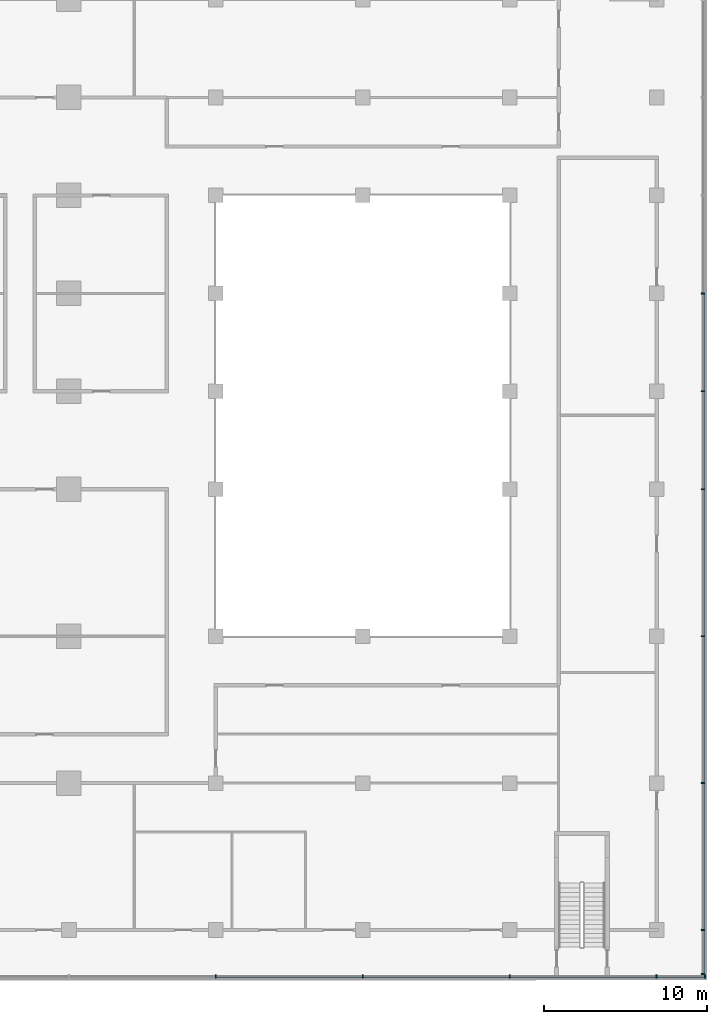
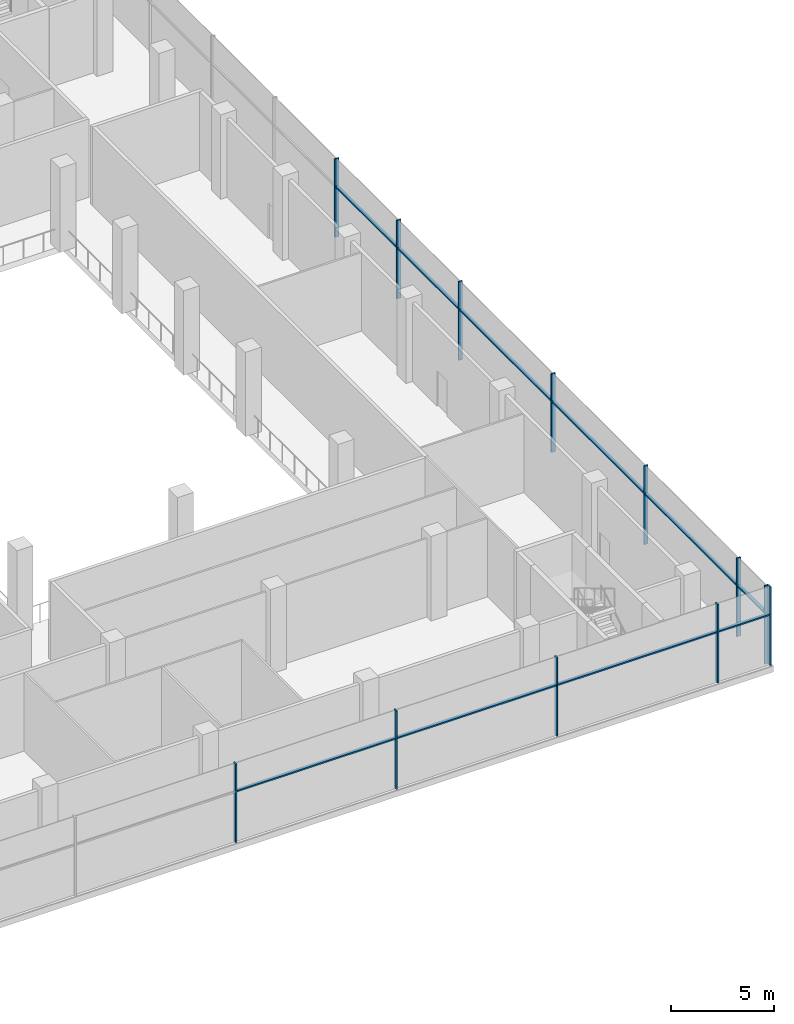
# One storey, part 5 of 22: 22 members, 2 elements without a shape of their own.
"""IFC4 building model written with IfcOpenShell, lengths in metres."""

from ifc_helpers import new_model, si_unit, direction, frame, origin, origin_2d, place, context, subcontext, project, spatial, rectangle, extrude, material, material_profile, profile_set, type_object, element, aggregate, save


model = new_model("IFC4")

# Units and contexts
model_context = context("Model", 3, precision=1e-05, world=origin(), true_north=direction((0.0, 1.0)))
body_context = subcontext(model_context, "Body", "Model", "MODEL_VIEW")
ifc_project = project(units=[si_unit("LENGTHUNIT", "METRE"), si_unit("AREAUNIT", "SQUARE_METRE"), si_unit("VOLUMEUNIT", "CUBIC_METRE"), si_unit("PLANEANGLEUNIT", "RADIAN"), si_unit("MASSUNIT", "GRAM", prefix="KILO")], contexts=[model_context])

# Site, building, storey
site_placement = place(None, origin())
site = spatial("IfcSite", under=ifc_project, at=site_placement, CompositionType="ELEMENT")
building_placement = place(site_placement, origin())
building = spatial("IfcBuilding", under=site, at=building_placement, Name="Finial Court Residences", CompositionType="ELEMENT")
storey_placement = place(building_placement, frame((0.0, 0.0, 13.5)))
storey = spatial("IfcBuildingStorey", under=building, at=storey_placement, Name="L02", CompositionType="ELEMENT", Elevation=13.5)

# Curtain wall, members
ifc_material = material(Name="Bronze anodised aluminium", Category="aluminium")
curtain_wall_type = type_object("IfcCurtainWallType", Name="Podium curtain wall", PredefinedType="NOTDEFINED", material=ifc_material)
curtain_wall_1_placement = place(storey_placement, origin())
curtain_wall_1 = element("IfcCurtainWall", 1, at=curtain_wall_1_placement, inside=storey, type_object=curtain_wall_type, Name="E-L02-CW-E2", PredefinedType="NOTDEFINED")
ifc_material_profile_1 = material_profile(ifc_material, rectangle(XDim=0.22509765625, YDim=0.080078125, at=origin_2d()), Name="CW5 mullion 80 x 225")
ifc_profile_set_1 = profile_set([ifc_material_profile_1], Name="Bronze anodised aluminium")
member_type_1 = type_object("IfcMemberType", Name="CW5 mullion 80 x 225", PredefinedType="MULLION", material=ifc_profile_set_1)
member_1_placement = place(storey_placement, frame((61.35009765625, -34.197509765625, 0.0), z_axis=(0.0, 0.0, 1.0), x_axis=(-1.0, 0.0, 0.0)))
member_1 = element("IfcMember", 2, at=member_1_placement, type_object=member_type_1, Name="CW5 mullion 1", PredefinedType="MULLION", context=body_context, shape_type="SweptSolid", body=[
    extrude(rectangle(XDim=0.22509765625, YDim=0.080078125, at=origin_2d()), origin(), (0.0, 0.0, 1.0), 4.64990234375),
])
member_2_placement = place(storey_placement, frame((61.35009765625, -31.5, 0.0), z_axis=(0.0, 0.0, 1.0), x_axis=(-1.0, 0.0, 0.0)))
member_2 = element("IfcMember", 3, at=member_2_placement, type_object=member_type_1, Name="CW5 mullion 2", PredefinedType="MULLION", context=body_context, shape_type="SweptSolid", body=[
    extrude(rectangle(XDim=0.22509765625, YDim=0.080078125, at=origin_2d()), origin(), (0.0, 0.0, 1.0), 4.64990234375),
])
member_3_placement = place(storey_placement, frame((61.35009765625, -22.5, 0.0), z_axis=(0.0, 0.0, 1.0), x_axis=(-1.0, 0.0, 0.0)))
member_3 = element("IfcMember", 4, at=member_3_placement, type_object=member_type_1, Name="CW5 mullion 3", PredefinedType="MULLION", context=body_context, shape_type="SweptSolid", body=[
    extrude(rectangle(XDim=0.22509765625, YDim=0.080078125, at=origin_2d()), origin(), (0.0, 0.0, 1.0), 4.64990234375),
])
member_4_placement = place(storey_placement, frame((61.35009765625, -13.5, 0.0), z_axis=(0.0, 0.0, 1.0), x_axis=(-1.0, 0.0, 0.0)))
member_4 = element("IfcMember", 5, at=member_4_placement, type_object=member_type_1, Name="CW5 mullion 4", PredefinedType="MULLION", context=body_context, shape_type="SweptSolid", body=[
    extrude(rectangle(XDim=0.22509765625, YDim=0.080078125, at=origin_2d()), origin(), (0.0, 0.0, 1.0), 4.64990234375),
])
member_5_placement = place(storey_placement, frame((61.35009765625, -4.5, 0.0), z_axis=(0.0, 0.0, 1.0), x_axis=(-1.0, 0.0, 0.0)))
member_5 = element("IfcMember", 6, at=member_5_placement, type_object=member_type_1, Name="CW5 mullion 5", PredefinedType="MULLION", context=body_context, shape_type="SweptSolid", body=[
    extrude(rectangle(XDim=0.22509765625, YDim=0.080078125, at=origin_2d()), origin(), (0.0, 0.0, 1.0), 4.64990234375),
])
member_6_placement = place(storey_placement, frame((61.35009765625, 1.5, 0.0), z_axis=(0.0, 0.0, 1.0), x_axis=(-1.0, 0.0, 0.0)))
member_6 = element("IfcMember", 7, at=member_6_placement, type_object=member_type_1, Name="CW5 mullion 6", PredefinedType="MULLION", context=body_context, shape_type="SweptSolid", body=[
    extrude(rectangle(XDim=0.22509765625, YDim=0.080078125, at=origin_2d()), origin(), (0.0, 0.0, 1.0), 4.64990234375),
])
member_7_placement = place(storey_placement, frame((61.35009765625, 7.5, 0.0), z_axis=(0.0, 0.0, 1.0), x_axis=(-1.0, 0.0, 0.0)))
member_7 = element("IfcMember", 8, at=member_7_placement, type_object=member_type_1, Name="CW5 mullion 7", PredefinedType="MULLION", context=body_context, shape_type="SweptSolid", body=[
    extrude(rectangle(XDim=0.22509765625, YDim=0.080078125, at=origin_2d()), origin(), (0.0, 0.0, 1.0), 4.64990234375),
])

curtain_wall_2_placement = place(storey_placement, origin())
curtain_wall_2 = element("IfcCurtainWall", 9, at=curtain_wall_2_placement, inside=storey, type_object=curtain_wall_type, Name="E-L02-CW-S3", PredefinedType="NOTDEFINED")
member_8_placement = place(storey_placement, frame((31.5, -34.35009765625, 0.0), z_axis=(0.0, 0.0, 1.0), x_axis=(0.0, 1.0, 0.0)))
member_8 = element("IfcMember", 10, at=member_8_placement, type_object=member_type_1, Name="CW5 mullion 11", PredefinedType="MULLION", context=body_context, shape_type="SweptSolid", body=[
    extrude(rectangle(XDim=0.22509765625, YDim=0.080078125, at=origin_2d()), origin(), (0.0, 0.0, 1.0), 4.64990234375),
])
member_9_placement = place(storey_placement, frame((40.5, -34.35009765625, 0.0), z_axis=(0.0, 0.0, 1.0), x_axis=(0.0, 1.0, 0.0)))
member_9 = element("IfcMember", 11, at=member_9_placement, type_object=member_type_1, Name="CW5 mullion 12", PredefinedType="MULLION", context=body_context, shape_type="SweptSolid", body=[
    extrude(rectangle(XDim=0.22509765625, YDim=0.080078125, at=origin_2d()), origin(), (0.0, 0.0, 1.0), 4.64990234375),
])
member_10_placement = place(storey_placement, frame((49.5, -34.35009765625, 0.0), z_axis=(0.0, 0.0, 1.0), x_axis=(0.0, 1.0, 0.0)))
member_10 = element("IfcMember", 12, at=member_10_placement, type_object=member_type_1, Name="CW5 mullion 13", PredefinedType="MULLION", context=body_context, shape_type="SweptSolid", body=[
    extrude(rectangle(XDim=0.22509765625, YDim=0.080078125, at=origin_2d()), origin(), (0.0, 0.0, 1.0), 4.64990234375),
])
member_11_placement = place(storey_placement, frame((58.5, -34.35009765625, 0.0), z_axis=(0.0, 0.0, 1.0), x_axis=(0.0, 1.0, 0.0)))
member_11 = element("IfcMember", 13, at=member_11_placement, type_object=member_type_1, Name="CW5 mullion 14", PredefinedType="MULLION", context=body_context, shape_type="SweptSolid", body=[
    extrude(rectangle(XDim=0.22509765625, YDim=0.080078125, at=origin_2d()), origin(), (0.0, 0.0, 1.0), 4.64990234375),
])
member_12_placement = place(storey_placement, frame((61.4599609375, -34.35009765625, 0.0), z_axis=(0.0, 0.0, 1.0), x_axis=(0.0, 1.0, 0.0)))
member_12 = element("IfcMember", 14, at=member_12_placement, type_object=member_type_1, Name="CW5 mullion 15", PredefinedType="MULLION", context=body_context, shape_type="SweptSolid", body=[
    extrude(rectangle(XDim=0.22509765625, YDim=0.080078125, at=origin_2d()), origin(), (0.0, 0.0, 1.0), 4.64990234375),
])

# Member
ifc_material_profile_2 = material_profile(ifc_material, rectangle(XDim=0.175048828125, YDim=0.080078125, at=origin_2d()), Name="CW5 transom 80 x 175")
ifc_profile_set_2 = profile_set([ifc_material_profile_2], Name="Bronze anodised aluminium")
member_type_2 = type_object("IfcMemberType", Name="CW5 transom 80 x 175", PredefinedType="USERDEFINED", material=ifc_profile_set_2)
member_13_placement = place(storey_placement, frame((61.35009765625, -34.157470703125, 3.0), z_axis=(0.0, 1.0, 0.0), x_axis=(-1.0, 0.0, 0.0)))
member_13 = element("IfcMember", 15, at=member_13_placement, type_object=member_type_2, Name="CW5 transom 1.1", ObjectType="TRANSOM", PredefinedType="USERDEFINED", context=body_context, shape_type="SweptSolid", body=[
    extrude(rectangle(XDim=0.175048828125, YDim=0.080078125, at=origin_2d()), origin(), (0.0, 0.0, 1.0), 2.617431640625),
])

member_14_placement = place(storey_placement, frame((61.35009765625, -31.4599609375, 3.0), z_axis=(0.0, 1.0, 0.0), x_axis=(-1.0, 0.0, 0.0)))
member_14 = element("IfcMember", 16, at=member_14_placement, type_object=member_type_2, Name="CW5 transom 2.1", ObjectType="TRANSOM", PredefinedType="USERDEFINED", context=body_context, shape_type="SweptSolid", body=[
    extrude(rectangle(XDim=0.175048828125, YDim=0.080078125, at=origin_2d()), origin(), (0.0, 0.0, 1.0), 8.919921875),
])

member_15_placement = place(storey_placement, frame((61.35009765625, -22.4599609375, 3.0), z_axis=(0.0, 1.0, 0.0), x_axis=(-1.0, 0.0, 0.0)))
member_15 = element("IfcMember", 17, at=member_15_placement, type_object=member_type_2, Name="CW5 transom 3.1", ObjectType="TRANSOM", PredefinedType="USERDEFINED", context=body_context, shape_type="SweptSolid", body=[
    extrude(rectangle(XDim=0.175048828125, YDim=0.080078125, at=origin_2d()), origin(), (0.0, 0.0, 1.0), 8.919921875),
])

member_16_placement = place(storey_placement, frame((61.35009765625, -13.4599609375, 3.0), z_axis=(0.0, 1.0, 0.0), x_axis=(-1.0, 0.0, 0.0)))
member_16 = element("IfcMember", 18, at=member_16_placement, type_object=member_type_2, Name="CW5 transom 4.1", ObjectType="TRANSOM", PredefinedType="USERDEFINED", context=body_context, shape_type="SweptSolid", body=[
    extrude(rectangle(XDim=0.175048828125, YDim=0.080078125, at=origin_2d()), origin(), (0.0, 0.0, 1.0), 8.919921875),
])

member_17_placement = place(storey_placement, frame((61.35009765625, -4.4599609375, 3.0), z_axis=(0.0, 1.0, 0.0), x_axis=(-1.0, 0.0, 0.0)))
member_17 = element("IfcMember", 19, at=member_17_placement, type_object=member_type_2, Name="CW5 transom 5.1", ObjectType="TRANSOM", PredefinedType="USERDEFINED", context=body_context, shape_type="SweptSolid", body=[
    extrude(rectangle(XDim=0.175048828125, YDim=0.080078125, at=origin_2d()), origin(), (0.0, 0.0, 1.0), 5.919921875),
])

member_18_placement = place(storey_placement, frame((61.35009765625, 1.5400390625, 3.0), z_axis=(0.0, 1.0, 0.0), x_axis=(-1.0, 0.0, 0.0)))
member_18 = element("IfcMember", 20, at=member_18_placement, type_object=member_type_2, Name="CW5 transom 6.1", ObjectType="TRANSOM", PredefinedType="USERDEFINED", context=body_context, shape_type="SweptSolid", body=[
    extrude(rectangle(XDim=0.175048828125, YDim=0.080078125, at=origin_2d()), origin(), (0.0, 0.0, 1.0), 5.919921875),
])

aggregate(curtain_wall_1, [member_1, member_2, member_3, member_4, member_5, member_6, member_7, member_13, member_14, member_15, member_16, member_17, member_18])

member_19_placement = place(storey_placement, frame((31.5400390625, -34.35009765625, 3.0), z_axis=(1.0, 0.0, 0.0), x_axis=(0.0, 1.0, 0.0)))
member_19 = element("IfcMember", 21, at=member_19_placement, type_object=member_type_2, Name="CW5 transom 11.1", ObjectType="TRANSOM", PredefinedType="USERDEFINED", context=body_context, shape_type="SweptSolid", body=[
    extrude(rectangle(XDim=0.175048828125, YDim=0.080078125, at=origin_2d()), origin(), (0.0, 0.0, 1.0), 8.919921875),
])

member_20_placement = place(storey_placement, frame((40.5400390625, -34.35009765625, 3.0), z_axis=(1.0, 0.0, 0.0), x_axis=(0.0, 1.0, 0.0)))
member_20 = element("IfcMember", 22, at=member_20_placement, type_object=member_type_2, Name="CW5 transom 12.1", ObjectType="TRANSOM", PredefinedType="USERDEFINED", context=body_context, shape_type="SweptSolid", body=[
    extrude(rectangle(XDim=0.175048828125, YDim=0.080078125, at=origin_2d()), origin(), (0.0, 0.0, 1.0), 8.919921875),
])

member_21_placement = place(storey_placement, frame((49.5400390625, -34.35009765625, 3.0), z_axis=(1.0, 0.0, 0.0), x_axis=(0.0, 1.0, 0.0)))
member_21 = element("IfcMember", 23, at=member_21_placement, type_object=member_type_2, Name="CW5 transom 13.1", ObjectType="TRANSOM", PredefinedType="USERDEFINED", context=body_context, shape_type="SweptSolid", body=[
    extrude(rectangle(XDim=0.175048828125, YDim=0.080078125, at=origin_2d()), origin(), (0.0, 0.0, 1.0), 8.919921875),
])

member_22_placement = place(storey_placement, frame((58.5400390625, -34.35009765625, 3.0), z_axis=(1.0, 0.0, 0.0), x_axis=(0.0, 1.0, 0.0)))
member_22 = element("IfcMember", 24, at=member_22_placement, type_object=member_type_2, Name="CW5 transom 14.1", ObjectType="TRANSOM", PredefinedType="USERDEFINED", context=body_context, shape_type="SweptSolid", body=[
    extrude(rectangle(XDim=0.175048828125, YDim=0.080078125, at=origin_2d()), origin(), (0.0, 0.0, 1.0), 2.8798828125),
])

aggregate(curtain_wall_2, [member_8, member_9, member_10, member_11, member_12, member_19, member_20, member_21, member_22])

save(model, "model.ifc")
